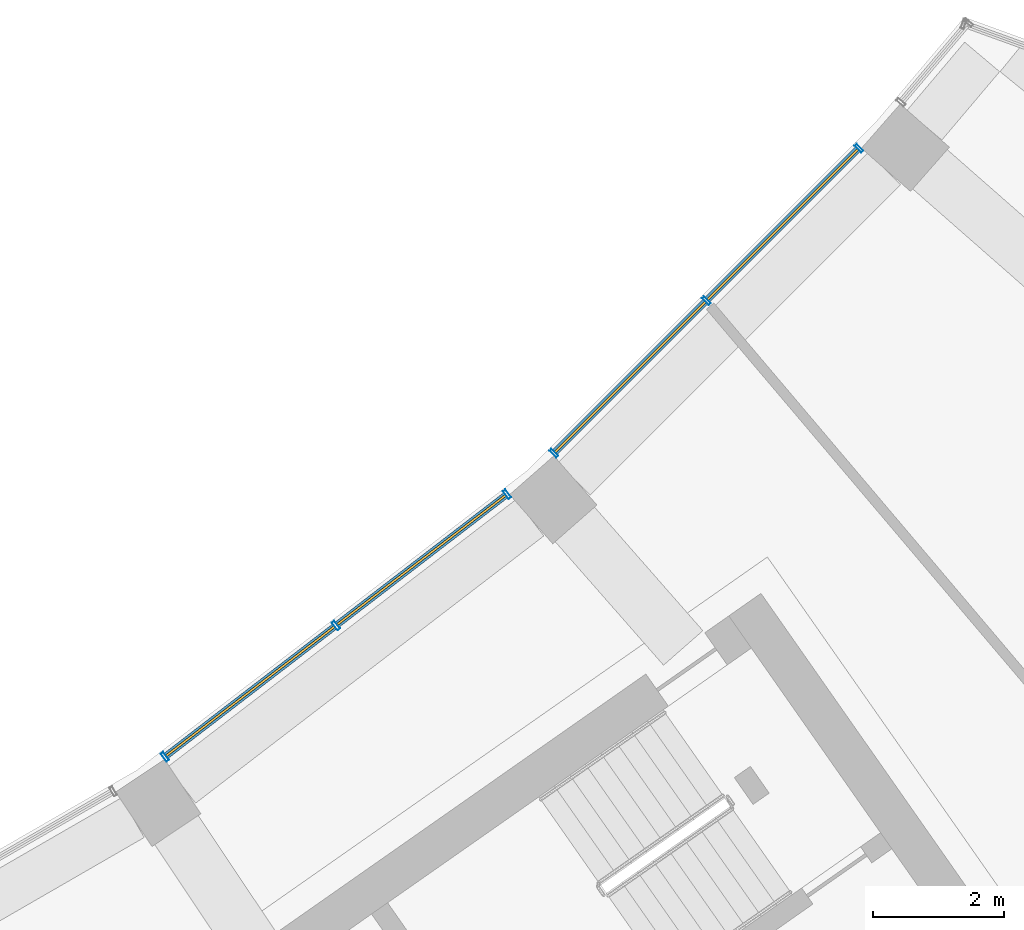
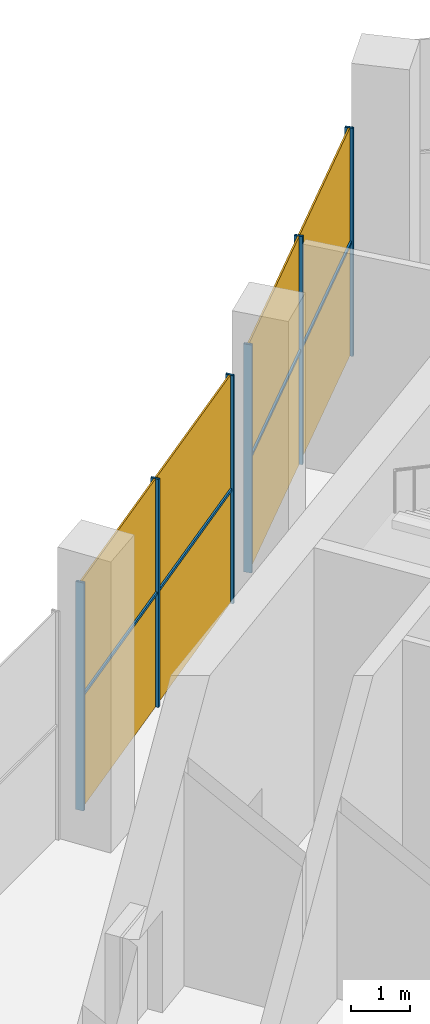
# One storey, part 37 of 41: 10 members, 2 curtain walls.
"""IFC4 building model written with IfcOpenShell, lengths in metres."""

from ifc_helpers import new_model, si_unit, direction, frame, origin, origin_2d, place, context, subcontext, project, spatial, rectangle, hollow_rectangle, extrude, material, material_profile, profile_set, type_object, element, aggregate, save


model = new_model("IFC4")

# Units and contexts
model_context = context("Model", 3, precision=1e-05, world=origin(), true_north=direction((0.0, 1.0)))
body_context = subcontext(model_context, "Body", "Model", "MODEL_VIEW")
ifc_project = project(units=[si_unit("LENGTHUNIT", "METRE"), si_unit("AREAUNIT", "SQUARE_METRE"), si_unit("VOLUMEUNIT", "CUBIC_METRE"), si_unit("PLANEANGLEUNIT", "RADIAN"), si_unit("MASSUNIT", "GRAM", prefix="KILO")], contexts=[model_context])

# Member
ifc_material = material(Name="Steel S355", Category="steel")
ifc_material_profile_1 = material_profile(ifc_material, hollow_rectangle(XDim=0.14990234375, YDim=0.050048828125, WallThickness=0.0048828125, at=origin_2d()))
ifc_profile_set_1 = profile_set([ifc_material_profile_1], Name="Steel S355")
member_type_1 = type_object("IfcMemberType", Name="Mullion RHS 150x50x5 steel S355", PredefinedType="MULLION", material=ifc_profile_set_1)
site_placement = place(None, origin())
building_placement = place(site_placement, origin())
storey_placement = place(building_placement, frame((0.0, 0.0, 284.699951171875)))
member_1_placement = place(storey_placement, frame((32.46240234375, -47.7275390625, 0.0), z_axis=(0.0, 0.0, 1.0), x_axis=(-0.608761429009, 0.793353340291, 0.0)))
member_1 = element("IfcMember", 1, at=member_1_placement, type_object=member_type_1, Name="e-cw5-L69-in12/M00", PredefinedType="MULLION", context=body_context, shape_type="SweptSolid", body=[
    extrude(hollow_rectangle(XDim=0.14990234375, YDim=0.050048828125, WallThickness=0.0048828125, at=origin_2d()), origin(), (0.0, 0.0, 1.0), 4.699951171875),
])

member_2_placement = place(storey_placement, frame((35.080810546875, -45.71826171875, 0.0), z_axis=(0.0, 0.0, 1.0), x_axis=(-0.608761429009, 0.793353340291, 0.0)))
member_2 = element("IfcMember", 2, at=member_2_placement, type_object=member_type_1, Name="e-cw5-L69-in12/M01", PredefinedType="MULLION", context=body_context, shape_type="SweptSolid", body=[
    extrude(hollow_rectangle(XDim=0.14990234375, YDim=0.050048828125, WallThickness=0.0048828125, at=origin_2d()), origin(), (0.0, 0.0, 1.0), 4.699951171875),
])

member_3_placement = place(storey_placement, frame((37.69921875, -43.708984375, 0.0), z_axis=(0.0, 0.0, 1.0), x_axis=(-0.608761429009, 0.793353340291, 0.0)))
member_3 = element("IfcMember", 3, at=member_3_placement, type_object=member_type_1, Name="e-cw5-L69-in12/M02", PredefinedType="MULLION", context=body_context, shape_type="SweptSolid", body=[
    extrude(hollow_rectangle(XDim=0.14990234375, YDim=0.050048828125, WallThickness=0.0048828125, at=origin_2d()), origin(), (0.0, 0.0, 1.0), 4.699951171875),
])

member_4_placement = place(storey_placement, frame((38.414306640625, -43.08203125, 0.0), z_axis=(0.0, 0.0, 1.0), x_axis=(-0.707106781187, 0.707106781187, 0.0)))
member_4 = element("IfcMember", 4, at=member_4_placement, type_object=member_type_1, Name="e-cw5-L69-in13/M00", PredefinedType="MULLION", context=body_context, shape_type="SweptSolid", body=[
    extrude(hollow_rectangle(XDim=0.14990234375, YDim=0.050048828125, WallThickness=0.0048828125, at=origin_2d()), origin(), (0.0, 0.0, 1.0), 4.699951171875),
])

member_5_placement = place(storey_placement, frame((40.748046875, -40.748046875, 0.0), z_axis=(0.0, 0.0, 1.0), x_axis=(-0.707106781187, 0.707106781187, 0.0)))
member_5 = element("IfcMember", 5, at=member_5_placement, type_object=member_type_1, Name="e-cw5-L69-in13/M01", PredefinedType="MULLION", context=body_context, shape_type="SweptSolid", body=[
    extrude(hollow_rectangle(XDim=0.14990234375, YDim=0.050048828125, WallThickness=0.0048828125, at=origin_2d()), origin(), (0.0, 0.0, 1.0), 4.699951171875),
])

member_6_placement = place(storey_placement, frame((43.08203125, -38.414306640625, 0.0), z_axis=(0.0, 0.0, 1.0), x_axis=(-0.707106781187, 0.707106781187, 0.0)))
member_6 = element("IfcMember", 6, at=member_6_placement, type_object=member_type_1, Name="e-cw5-L69-in13/M02", PredefinedType="MULLION", context=body_context, shape_type="SweptSolid", body=[
    extrude(hollow_rectangle(XDim=0.14990234375, YDim=0.050048828125, WallThickness=0.0048828125, at=origin_2d()), origin(), (0.0, 0.0, 1.0), 4.699951171875),
])

ifc_material_profile_2 = material_profile(ifc_material, hollow_rectangle(XDim=0.10009765625, YDim=0.050048828125, WallThickness=0.00390625, at=origin_2d()))
ifc_profile_set_2 = profile_set([ifc_material_profile_2], Name="Steel S355")
member_type_2 = type_object("IfcMemberType", Name="Transom RHS 100x50x4 steel S355", PredefinedType="USERDEFINED", material=ifc_profile_set_2)
member_7_placement = place(storey_placement, frame((32.482177734375, -47.712158203125, 2.35009765625), z_axis=(0.793363314665, 0.608748429931, 0.0), x_axis=(-0.608748429931, 0.793363314665, 0.0)))
member_7 = element("IfcMember", 7, at=member_7_placement, type_object=member_type_2, Name="e-cw5-L69-in12/T00", ObjectType="TRANSOM", PredefinedType="USERDEFINED", context=body_context, shape_type="SweptSolid", body=[
    extrude(hollow_rectangle(XDim=0.10009765625, YDim=0.050048828125, WallThickness=0.00390625, at=origin_2d()), origin(), (0.0, 0.0, 1.0), 3.25048828125),
])

member_8_placement = place(storey_placement, frame((35.1005859375, -45.703125, 2.35009765625), z_axis=(0.793327040969, 0.60879570142, 0.0), x_axis=(-0.60879570142, 0.793327040969, 0.0)))
member_8 = element("IfcMember", 8, at=member_8_placement, type_object=member_type_2, Name="e-cw5-L69-in12/T01", ObjectType="TRANSOM", PredefinedType="USERDEFINED", context=body_context, shape_type="SweptSolid", body=[
    extrude(hollow_rectangle(XDim=0.10009765625, YDim=0.050048828125, WallThickness=0.00390625, at=origin_2d()), origin(), (0.0, 0.0, 1.0), 3.250732421875),
])

member_9_placement = place(storey_placement, frame((38.43212890625, -43.064208984375, 2.35009765625), z_axis=(0.707106781187, 0.707106781187, 0.0), x_axis=(-0.707106781187, 0.707106781187, 0.0)))
member_9 = element("IfcMember", 9, at=member_9_placement, type_object=member_type_2, Name="e-cw5-L69-in13/T00", ObjectType="TRANSOM", PredefinedType="USERDEFINED", context=body_context, shape_type="SweptSolid", body=[
    extrude(hollow_rectangle(XDim=0.10009765625, YDim=0.050048828125, WallThickness=0.00390625, at=origin_2d()), origin(), (0.0, 0.0, 1.0), 3.250244140625),
])

member_10_placement = place(storey_placement, frame((40.765869140625, -40.73046875, 2.35009765625), z_axis=(0.707106781187, 0.707106781187, 0.0), x_axis=(-0.707106781187, 0.707106781187, 0.0)))
member_10 = element("IfcMember", 10, at=member_10_placement, type_object=member_type_2, Name="e-cw5-L69-in13/T01", ObjectType="TRANSOM", PredefinedType="USERDEFINED", context=body_context, shape_type="SweptSolid", body=[
    extrude(hollow_rectangle(XDim=0.10009765625, YDim=0.050048828125, WallThickness=0.00390625, at=origin_2d()), origin(), (0.0, 0.0, 1.0), 3.250244140625),
])

# Site, building, storey
site = spatial("IfcSite", under=ifc_project, at=site_placement, CompositionType="ELEMENT")
building = spatial("IfcBuilding", under=site, at=building_placement, Name="Qamariyya Broadcast Tower", CompositionType="ELEMENT")
storey = spatial("IfcBuildingStorey", under=building, at=storey_placement, Name="L69", CompositionType="ELEMENT", Elevation=284.699951171875)

# Curtain wall
curtain_wall_type = type_object("IfcCurtainWallType", Name="Observation gallery all-glass wall, steel mullions", PredefinedType="NOTDEFINED", material=ifc_material)
curtain_wall_1_placement = place(storey_placement, origin())
curtain_wall_1 = element("IfcCurtainWall", 11, at=curtain_wall_1_placement, inside=storey, type_object=curtain_wall_type, Name="e-cw5-L69-in12", PredefinedType="NOTDEFINED", context=body_context, shape_type="SweptSolid", body=[
    extrude(rectangle(XDim=3.25048828125, YDim=0.031982421875, at=origin_2d()), frame((33.771728515625, -46.722900390625, 0.0), x_axis=(0.793357563003, 0.608755925824, 0.0)), (0.0, 0.0, 1.0), 2.324951171875),
    extrude(rectangle(XDim=3.25048828125, YDim=0.031982421875, at=origin_2d()), frame((33.771728515625, -46.722900390625, 2.375), x_axis=(0.793357563003, 0.608755925824, 0.0)), (0.0, 0.0, 1.0), 2.324951171875),
    extrude(rectangle(XDim=3.25048828125, YDim=0.031982421875, at=origin_2d()), frame((36.39013671875, -44.713623046875, 0.0), x_axis=(0.793357563003, 0.608755925824, 0.0)), (0.0, 0.0, 1.0), 2.324951171875),
    extrude(rectangle(XDim=3.25048828125, YDim=0.031982421875, at=origin_2d()), frame((36.39013671875, -44.713623046875, 2.375), x_axis=(0.793357563003, 0.608755925824, 0.0)), (0.0, 0.0, 1.0), 2.324951171875),
])

aggregate(curtain_wall_1, [member_1, member_2, member_3, member_7, member_8])

curtain_wall_2_placement = place(storey_placement, origin())
curtain_wall_2 = element("IfcCurtainWall", 12, at=curtain_wall_2_placement, inside=storey, type_object=curtain_wall_type, Name="e-cw5-L69-in13", PredefinedType="NOTDEFINED", context=body_context, shape_type="SweptSolid", body=[
    extrude(rectangle(XDim=3.25048828125, YDim=0.031982421875, at=origin_2d()), frame((39.581298828125, -41.9150390625, 0.0), x_axis=(0.707106781187, 0.707106781187, 0.0)), (0.0, 0.0, 1.0), 2.324951171875),
    extrude(rectangle(XDim=3.25048828125, YDim=0.031982421875, at=origin_2d()), frame((39.581298828125, -41.9150390625, 2.375), x_axis=(0.707106781187, 0.707106781187, 0.0)), (0.0, 0.0, 1.0), 2.324951171875),
    extrude(rectangle(XDim=3.25048828125, YDim=0.031982421875, at=origin_2d()), frame((41.9150390625, -39.581298828125, 0.0), x_axis=(0.707106781187, 0.707106781187, 0.0)), (0.0, 0.0, 1.0), 2.324951171875),
    extrude(rectangle(XDim=3.25048828125, YDim=0.031982421875, at=origin_2d()), frame((41.9150390625, -39.581298828125, 2.375), x_axis=(0.707106781187, 0.707106781187, 0.0)), (0.0, 0.0, 1.0), 2.324951171875),
])

aggregate(curtain_wall_2, [member_4, member_5, member_6, member_9, member_10])

save(model, "model.ifc")
